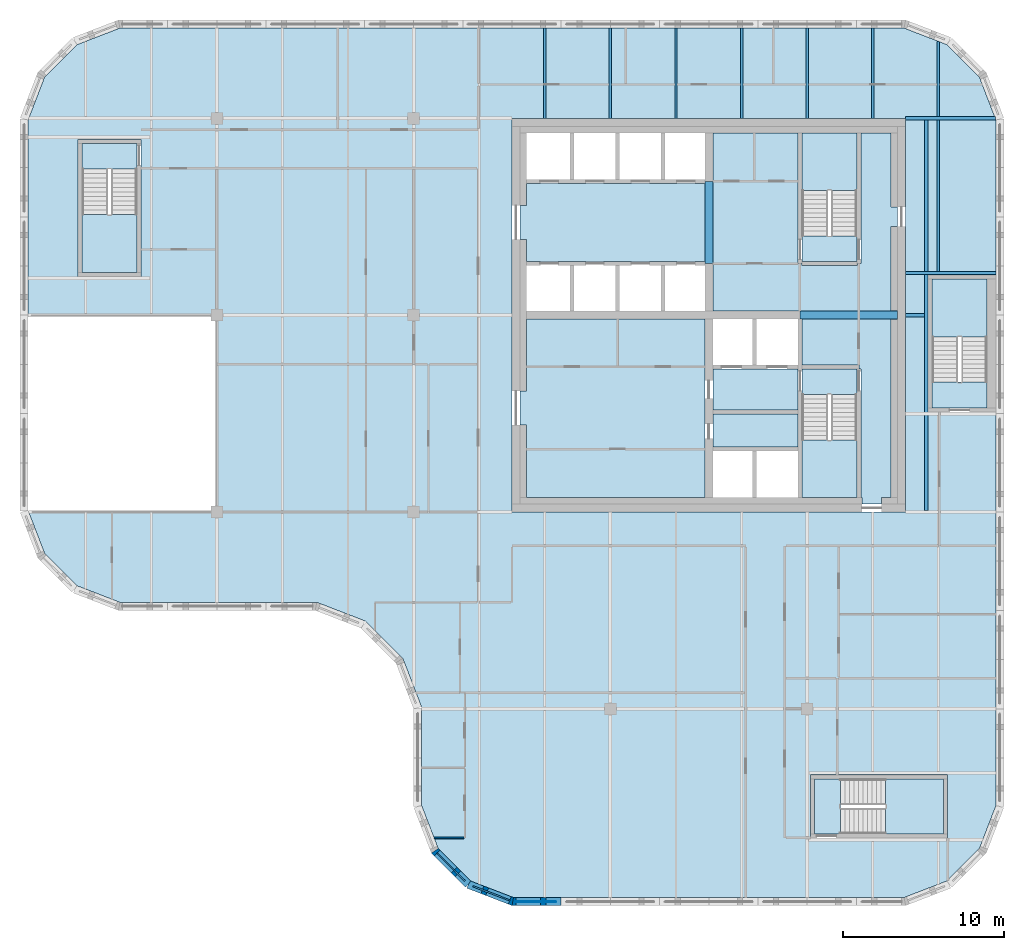
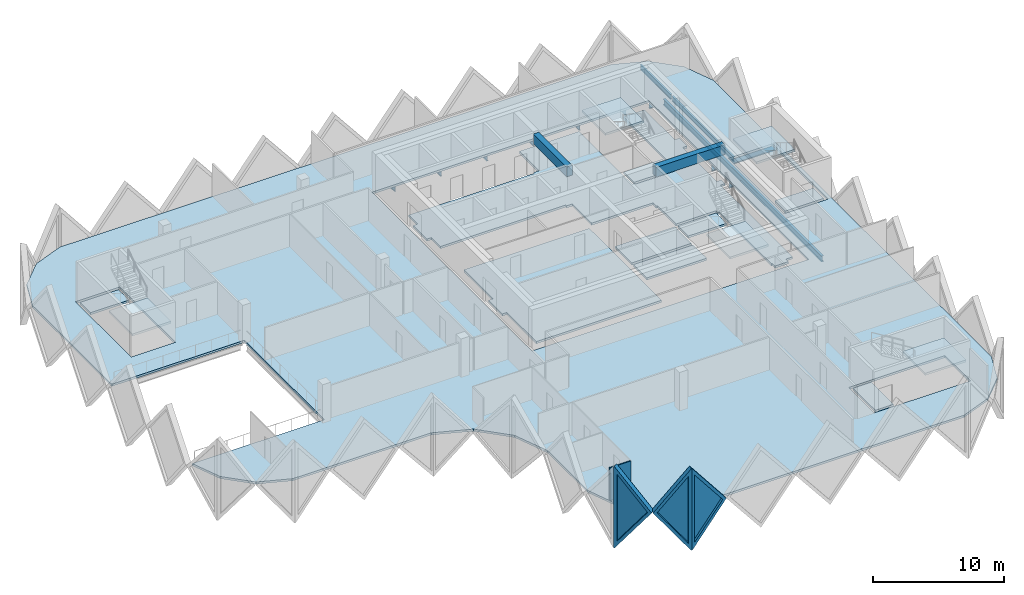
# One storey, part 2 of 11: 15 slabs, 14 beams, 4 walls, 3 plates, 3 openings, 5 elements without a shape of their own.
"""IFC4 building model written with IfcOpenShell, lengths in metres."""

from ifc_helpers import new_model, si_unit, direction, frame, frame_2d, origin, origin_2d, place, context, subcontext, project, spatial, polyline, rectangle, i_section, outline, extrude, faceted_brep, source, transform, mapped, material, layer, layer_set, material_profile, profile_set, type_object, element, fill, aggregate, save


model = new_model("IFC4")

# Units and contexts
model_context = context("Model", 3, precision=1e-05, world=origin(), true_north=direction((0.0, 1.0)))
body_context = subcontext(model_context, "Body", "Model", "MODEL_VIEW")
ifc_project = project(units=[si_unit("LENGTHUNIT", "METRE"), si_unit("AREAUNIT", "SQUARE_METRE"), si_unit("VOLUMEUNIT", "CUBIC_METRE"), si_unit("PLANEANGLEUNIT", "RADIAN"), si_unit("MASSUNIT", "GRAM", prefix="KILO")], contexts=[model_context])

# Site, building, storey
site_placement = place(None, origin())
site = spatial("IfcSite", under=ifc_project, at=site_placement, CompositionType="ELEMENT")
building_placement = place(site_placement, origin())
building = spatial("IfcBuilding", under=site, at=building_placement, Name="Tessera Gate Towers", CompositionType="ELEMENT")
storey_placement = place(building_placement, frame((0.0, 0.0, 205.5)))
storey = spatial("IfcBuildingStorey", under=building, at=storey_placement, Name="L51", CompositionType="ELEMENT", Elevation=205.5)

# Beams
ifc_material_1 = material(Name="Concrete C50/60", Category="concrete")
ifc_material_profile_1 = material_profile(ifc_material_1, rectangle(XDim=0.5, YDim=0.89990234375, at=origin_2d()), Name="RC 500x900")
ifc_profile_set_1 = profile_set([ifc_material_profile_1], Name="Concrete C50/60")
beam_type_1 = type_object("IfcBeamType", Name="COUPLING BEAM 500x900 C50/60", PredefinedType="BEAM", material=ifc_profile_set_1)
beam_1_placement = place(storey_placement, frame((48.35009765625, 36.60009765625, 3.14990234375), z_axis=(1.0, 0.0, 0.0), x_axis=(0.0, 1.0, 0.0)))
element("IfcBeam", 1, at=beam_1_placement, inside=storey, type_object=beam_type_1, Name="L51 coupling beam 1", PredefinedType="BEAM", context=body_context, shape_type="SweptSolid", body=[
    extrude(rectangle(XDim=0.5, YDim=0.89990234375, at=origin_2d()), origin(), (0.0, 0.0, 1.0), 6.0498046875),
])
beam_2_placement = place(storey_placement, frame((42.699951171875, 39.800048828125, 3.14990234375), z_axis=(0.0, 1.0, 0.0), x_axis=(-1.0, 0.0, 0.0)))
element("IfcBeam", 2, at=beam_2_placement, inside=storey, type_object=beam_type_1, Name="L51 coupling beam 2", PredefinedType="BEAM", context=body_context, shape_type="SweptSolid", body=[
    extrude(rectangle(XDim=0.5, YDim=0.89990234375, at=origin_2d()), origin(), (0.0, 0.0, 1.0), 5.099853515625),
])
ifc_material_2 = material(Name="Steel 350W", Category="steel")
ifc_material_profile_2 = material_profile(ifc_material_2, i_section(OverallWidth=0.208984375, OverallDepth=0.532958984375, WebThickness=0.01025390625, FlangeThickness=0.015625, at=origin_2d()), Name="W530x92")
ifc_profile_set_2 = profile_set([ifc_material_profile_2], Name="Steel 350W")
beam_type_2 = type_object("IfcBeamType", Name="FLOOR GIRDER W530x92", PredefinedType="BEAM", material=ifc_profile_set_2)
beam_3_placement = place(storey_placement, frame((54.89892578125, 36.60009765625, -0.466552734375), z_axis=(1.0, 0.0, 0.0), x_axis=(0.0, 1.0, 0.0)))
element("IfcBeam", 3, at=beam_3_placement, inside=storey, type_object=beam_type_2, Name="T1-GD-L51-5340", PredefinedType="BEAM", context=body_context, shape_type="SweptSolid", body=[
    extrude(i_section(OverallWidth=0.208984375, OverallDepth=0.532958984375, WebThickness=0.01025390625, FlangeThickness=0.015625, at=origin_2d()), origin(), (0.0, 0.0, 1.0), 1.176513671875),
])
beam_4_placement = place(storey_placement, frame((54.90087890625, 48.800048828125, -0.466552734375), z_axis=(1.0, 0.0, 0.0), x_axis=(0.0, 1.0, 0.0)))
element("IfcBeam", 4, at=beam_4_placement, inside=storey, type_object=beam_type_2, Name="T1-GD-L51-5344", PredefinedType="BEAM", context=body_context, shape_type="SweptSolid", body=[
    extrude(i_section(OverallWidth=0.208984375, OverallDepth=0.532958984375, WebThickness=0.01025390625, FlangeThickness=0.015625, at=origin_2d()), origin(), (0.0, 0.0, 1.0), 5.564208984375),
])
beam_5_placement = place(storey_placement, frame((54.89892578125, 39.219970703125, -0.466552734375), z_axis=(1.0, 0.0, 0.0), x_axis=(0.0, 1.0, 0.0)))
element("IfcBeam", 5, at=beam_5_placement, inside=storey, type_object=beam_type_2, Name="T1-GD-L51-5362", PredefinedType="BEAM", context=body_context, shape_type="SweptSolid", body=[
    extrude(i_section(OverallWidth=0.208984375, OverallDepth=0.532958984375, WebThickness=0.01025390625, FlangeThickness=0.015625, at=origin_2d()), origin(), (0.0, 0.0, 1.0), 5.60205078125),
])
beam_6_placement = place(storey_placement, frame((56.179931640625, 24.50439453125, -0.466552734375), z_axis=(0.0, 1.0, 0.0), x_axis=(-1.0, 0.0, 0.0)))
element("IfcBeam", 6, at=beam_6_placement, inside=storey, type_object=beam_type_2, Name="T1-GD-L51-5363", PredefinedType="BEAM", context=body_context, shape_type="SweptSolid", body=[
    extrude(i_section(OverallWidth=0.208984375, OverallDepth=0.532958984375, WebThickness=0.01025390625, FlangeThickness=0.015625, at=origin_2d()), origin(), (0.0, 0.0, 1.0), 24.191162109375),
])
ifc_material_3 = material(Name="Steel 350W", Category="steel")
ifc_material_profile_3 = material_profile(ifc_material_3, i_section(OverallWidth=0.153076171875, OverallDepth=0.455078125, WebThickness=0.008056640625, FlangeThickness=0.01318359375, at=origin_2d()), Name="W460x60")
ifc_profile_set_3 = profile_set([ifc_material_profile_3], Name="Steel 350W")
beam_type_3 = type_object("IfcBeamType", Name="FLOOR SECONDARY W460x60", PredefinedType="BEAM", material=ifc_profile_set_3)
for number, where, z_axis, x_axis, name in (
    (7, (32.533203125, 48.800048828125, -0.427490234375), (0.0, 1.0, 0.0), (-1.0, 0.0, 0.0), "T1-BM-L51-5385"),
    (8, (36.60009765625, 48.800048828125, -0.427490234375), (0.0, 1.0, 0.0), (-1.0, 0.0, 0.0), "T1-BM-L51-5386"),
    (9, (40.666748046875, 48.800048828125, -0.427490234375), (0.0, 1.0, 0.0), (-1.0, 0.0, 0.0), "T1-BM-L51-5389"),
    (10, (44.7333984375, 48.800048828125, -0.427490234375), (0.0, 1.0, 0.0), (-1.0, 0.0, 0.0), "T1-BM-L51-5392"),
    (11, (48.800048828125, 48.800048828125, -0.427490234375), (0.0, 1.0, 0.0), (-1.0, 0.0, 0.0), "T1-BM-L51-5393"),
    (12, (52.86669921875, 48.800048828125, -0.427490234375), (0.0, 1.0, 0.0), (-1.0, 0.0, 0.0), "T1-BM-L51-5397"),
):
    element("IfcBeam", number, at=place(storey_placement, frame(where, z_axis=z_axis, x_axis=x_axis)), inside=storey, type_object=beam_type_3, Name=name, PredefinedType="BEAM", context=body_context, shape_type="SweptSolid", body=[
        extrude(i_section(OverallWidth=0.153076171875, OverallDepth=0.455078125, WebThickness=0.008056640625, FlangeThickness=0.01318359375, at=origin_2d()), origin(), (0.0, 0.0, 1.0), 5.599853515625),
    ])
beam_7_placement = place(storey_placement, frame((56.933349609375, 39.324462890625, -0.427490234375), z_axis=(0.0, 1.0, 0.0), x_axis=(-1.0, 0.0, 0.0)))
element("IfcBeam", 13, at=beam_7_placement, inside=storey, type_object=beam_type_3, Name="T1-BM-L51-5402", PredefinedType="BEAM", context=body_context, shape_type="SweptSolid", body=[
    extrude(i_section(OverallWidth=0.153076171875, OverallDepth=0.455078125, WebThickness=0.008056640625, FlangeThickness=0.01318359375, at=origin_2d()), origin(), (0.0, 0.0, 1.0), 9.37109375),
])
beam_8_placement = place(storey_placement, frame((56.933349609375, 48.904541015625, -0.427490234375), z_axis=(0.0, 1.0, 0.0), x_axis=(-1.0, 0.0, 0.0)))
element("IfcBeam", 14, at=beam_8_placement, inside=storey, type_object=beam_type_3, Name="T1-BM-L51-5403", PredefinedType="BEAM", context=body_context, shape_type="SweptSolid", body=[
    extrude(i_section(OverallWidth=0.153076171875, OverallDepth=0.455078125, WebThickness=0.008056640625, FlangeThickness=0.01318359375, at=origin_2d()), origin(), (0.0, 0.0, 1.0), 4.675048828125),
])

# Slabs
ifc_material_4 = material(Name="Concrete C35/45", Category="concrete")
ifc_layer_1 = layer(ifc_material_4, 0.199951171875)
ifc_layer_set_1 = layer_set([ifc_layer_1], Name="COMPOSITE FLOOR 200")
slab_type_1 = type_object("IfcSlabType", Name="COMPOSITE FLOOR 200", PredefinedType="FLOOR", material=ifc_layer_set_1)
slab_1_placement = place(storey_placement, frame((0.0, 0.0, -0.199951171875)))
element("IfcSlab", 15, at=slab_1_placement, inside=storey, type_object=slab_type_1, Name="T1-L51", PredefinedType="FLOOR", context=body_context, shape_type="SweptSolid", body=[
    extrude(outline(polyline([(0.5, 36.60009765625), (12.199951171875, 36.60009765625), (12.199951171875, 24.39990234375), (0.535888671875, 24.39990234375), (1.526123046875, 21.8330078125), (3.533203125, 19.826171875), (6.193115234375, 18.800048828125), (18.39306640625, 18.800048828125), (21.42431640625, 17.630615234375), (23.730712890625, 15.32421875), (24.89990234375, 12.293212890625), (24.89990234375, 6.193115234375), (25.926025390625, 3.533203125), (27.93310546875, 1.526123046875), (30.593017578125, 0.5), (54.806884765625, 0.5), (57.466796875, 1.526123046875), (59.473876953125, 3.533203125), (60.5, 6.193115234375), (60.5, 48.706787109375), (59.473876953125, 51.366943359375), (57.466796875, 53.373779296875), (54.806884765625, 54.39990234375), (6.193115234375, 54.39990234375), (3.533203125, 53.373779296875), (1.526123046875, 51.366943359375), (0.5, 48.706787109375), (0.5, 36.60009765625)]), holes=[polyline([(3.60009765625, 39.0), (3.60009765625, 47.5), (7.5, 47.5), (7.5, 39.0), (3.60009765625, 39.0)]), polyline([(30.5, 24.39990234375), (30.5, 48.800048828125), (54.89990234375, 48.800048828125), (54.89990234375, 24.39990234375), (30.5, 24.39990234375)]), polyline([(49.0, 4.199951171875), (49.0, 8.10009765625), (57.5, 8.10009765625), (57.5, 4.199951171875), (49.0, 4.199951171875)]), polyline([(56.300048828125, 30.60009765625), (56.300048828125, 39.10009765625), (60.199951171875, 39.10009765625), (60.199951171875, 30.60009765625), (56.300048828125, 30.60009765625)])]), origin(), (0.0, 0.0, 1.0), 0.199951171875),
])
ifc_material_5 = material(Name="Concrete C35/45", Category="concrete")
ifc_layer_2 = layer(ifc_material_5, 0.199951171875)
ifc_layer_set_2 = layer_set([ifc_layer_2], Name="CORE FLOOR SLAB 200")
slab_type_2 = type_object("IfcSlabType", Name="CORE FLOOR SLAB 200", PredefinedType="FLOOR", material=ifc_layer_set_2)
slab_2_placement = place(storey_placement, frame((0.0, 0.0, -0.199951171875)))
element("IfcSlab", 16, at=slab_2_placement, inside=storey, type_object=slab_type_2, Name="L51 core floor slab", PredefinedType="FLOOR", context=body_context, shape_type="SweptSolid", body=[
    extrude(outline(polyline([(42.449951171875, 44.89990234375), (42.449951171875, 44.77490234375), (31.39990234375, 44.77490234375), (31.39990234375, 43.39990234375), (31.0, 43.39990234375), (31.0, 41.300048828125), (31.39990234375, 41.300048828125), (31.39990234375, 39.925048828125), (42.449951171875, 39.925048828125), (42.449951171875, 39.800048828125), (42.949951171875, 39.800048828125), (42.949951171875, 36.85009765625), (48.35009765625, 36.85009765625), (48.35009765625, 36.35009765625), (48.47509765625, 36.35009765625), (48.47509765625, 33.52490234375), (52.0, 33.52490234375), (52.0, 33.27490234375), (52.125, 33.27490234375), (52.125, 25.300048828125), (52.199951171875, 25.300048828125), (52.199951171875, 24.89990234375), (53.39990234375, 24.89990234375), (53.39990234375, 25.300048828125), (54.0, 25.300048828125), (54.0, 36.320068359375), (54.39990234375, 36.320068359375), (54.39990234375, 36.8798828125), (54.0, 36.8798828125), (54.0, 42.10009765625), (54.39990234375, 42.10009765625), (54.39990234375, 43.300048828125), (54.0, 43.300048828125), (54.0, 47.89990234375), (52.125, 47.89990234375), (52.125, 39.800048828125), (51.875, 39.800048828125), (51.875, 39.675048828125), (48.47509765625, 39.675048828125), (48.47509765625, 39.800048828125), (48.22509765625, 39.800048828125), (48.22509765625, 47.89990234375), (42.949951171875, 47.89990234375), (42.949951171875, 44.89990234375), (42.449951171875, 44.89990234375)])), origin(), (0.0, 0.0, 1.0), 0.199951171875),
])
slab_3_placement = place(storey_placement, frame((0.0, 0.0, -0.199951171875)))
element("IfcSlab", 17, at=slab_3_placement, inside=storey, type_object=slab_type_2, Name="L51 core floor slab", PredefinedType="FLOOR", context=body_context, shape_type="SweptSolid", body=[
    extrude(outline(polyline([(31.39990234375, 36.35009765625), (31.39990234375, 31.89990234375), (31.0, 31.89990234375), (31.0, 29.800048828125), (31.39990234375, 29.800048828125), (31.39990234375, 25.300048828125), (42.449951171875, 25.300048828125), (42.449951171875, 36.35009765625), (31.39990234375, 36.35009765625)])), origin(), (0.0, 0.0, 1.0), 0.199951171875),
])
slab_4_placement = place(storey_placement, frame((0.0, 0.0, -0.199951171875)))
element("IfcSlab", 18, at=slab_4_placement, inside=storey, type_object=slab_type_2, Name="L51 core floor slab", PredefinedType="FLOOR", context=body_context, shape_type="SweptSolid", body=[
    extrude(outline(polyline([(42.949951171875, 33.27490234375), (42.949951171875, 30.72509765625), (48.22509765625, 30.72509765625), (48.22509765625, 33.27490234375), (42.949951171875, 33.27490234375)])), origin(), (0.0, 0.0, 1.0), 0.199951171875),
])
slab_5_placement = place(storey_placement, frame((0.0, 0.0, -0.199951171875)))
element("IfcSlab", 19, at=slab_5_placement, inside=storey, type_object=slab_type_2, Name="L51 core floor slab", PredefinedType="FLOOR", context=body_context, shape_type="SweptSolid", body=[
    extrude(outline(polyline([(48.22509765625, 30.47509765625), (42.949951171875, 30.47509765625), (42.949951171875, 28.425048828125), (48.22509765625, 28.425048828125), (48.22509765625, 30.47509765625)])), origin(), (0.0, 0.0, 1.0), 0.199951171875),
])
slab_6_placement = place(storey_placement, frame((0.0, 0.0, -0.199951171875)))
element("IfcSlab", 20, at=slab_6_placement, inside=storey, type_object=slab_type_2, Name="L51 core floor slab", PredefinedType="FLOOR", context=body_context, shape_type="SweptSolid", body=[
    extrude(outline(polyline([(51.875, 31.675048828125), (51.875, 33.27490234375), (48.47509765625, 33.27490234375), (48.47509765625, 31.675048828125), (51.875, 31.675048828125)])), origin(), (0.0, 0.0, 1.0), 0.199951171875),
])
slab_7_placement = place(storey_placement, frame((0.0, 0.0, -0.199951171875)))
element("IfcSlab", 21, at=slab_7_placement, inside=storey, type_object=slab_type_2, Name="L51 core floor slab", PredefinedType="FLOOR", context=body_context, shape_type="SweptSolid", body=[
    extrude(outline(polyline([(48.47509765625, 41.52490234375), (48.47509765625, 39.925048828125), (51.875, 39.925048828125), (51.875, 41.52490234375), (48.47509765625, 41.52490234375)])), origin(), (0.0, 0.0, 1.0), 0.199951171875),
])
slab_8_placement = place(storey_placement, frame((0.0, 0.0, -0.199951171875)))
element("IfcSlab", 22, at=slab_8_placement, inside=storey, type_object=slab_type_2, Name="L51 ST3 floor landing", PredefinedType="FLOOR", context=body_context, shape_type="SweptSolid", body=[
    extrude(outline(polyline([(3.85009765625, 47.25), (3.85009765625, 45.64990234375), (7.25, 45.64990234375), (7.25, 47.25), (3.85009765625, 47.25)])), origin(), (0.0, 0.0, 1.0), 0.199951171875),
])
slab_9_placement = place(storey_placement, frame((0.0, 0.0, -0.199951171875)))
element("IfcSlab", 23, at=slab_9_placement, inside=storey, type_object=slab_type_2, Name="L51 ST4 floor landing", PredefinedType="FLOOR", context=body_context, shape_type="SweptSolid", body=[
    extrude(outline(polyline([(49.25, 4.449951171875), (50.85009765625, 4.449951171875), (50.85009765625, 7.85009765625), (49.25, 7.85009765625), (49.25, 4.449951171875)])), origin(), (0.0, 0.0, 1.0), 0.199951171875),
])
slab_10_placement = place(storey_placement, frame((0.0, 0.0, -0.199951171875)))
element("IfcSlab", 24, at=slab_10_placement, inside=storey, type_object=slab_type_2, Name="L51 ST5 floor landing", PredefinedType="FLOOR", context=body_context, shape_type="SweptSolid", body=[
    extrude(outline(polyline([(59.949951171875, 30.85009765625), (59.949951171875, 32.449951171875), (56.550048828125, 32.449951171875), (56.550048828125, 30.85009765625), (59.949951171875, 30.85009765625)])), origin(), (0.0, 0.0, 1.0), 0.199951171875),
])

# Stair, slab
ifc_material_6 = material(Name="Concrete C40/50", Category="concrete")
stair_type_1 = type_object("IfcStairType", Name="EXIT STAIR ST1 1600", PredefinedType="HALF_TURN_STAIR", material=ifc_material_6)
stair_1_placement = place(storey_placement, origin())
stair_1 = element("IfcStair", 25, at=stair_1_placement, inside=storey, type_object=stair_type_1, Name="L51 Protected Exit Stair ST1", PredefinedType="HALF_TURN_STAIR")
ifc_material_7 = material(Name="Concrete C40/50", Category="concrete")
ifc_layer_3 = layer(ifc_material_7, 0.199951171875)
ifc_layer_set_3 = layer_set([ifc_layer_3], Name="EXIT STAIR LANDING 200")
slab_type_3 = type_object("IfcSlabType", Name="EXIT STAIR LANDING 200", PredefinedType="LANDING", material=ifc_layer_set_3)
slab_11_placement = place(storey_placement, frame((0.0, 0.0, 1.699951171875)))
slab_11 = element("IfcSlab", 26, at=slab_11_placement, type_object=slab_type_3, Name="ST1 landing 1", PredefinedType="LANDING", context=body_context, shape_type="SweptSolid", body=[
    extrude(outline(polyline([(48.47509765625, 28.875), (48.47509765625, 25.300048828125), (51.875, 25.300048828125), (51.875, 28.875), (48.47509765625, 28.875)])), origin(), (0.0, 0.0, 1.0), 0.199951171875),
])
aggregate(stair_1, [slab_11])

ifc_material_8 = material(Name="Concrete C40/50", Category="concrete")
stair_type_2 = type_object("IfcStairType", Name="EXIT STAIR ST2 1600", PredefinedType="HALF_TURN_STAIR", material=ifc_material_8)
stair_2_placement = place(storey_placement, origin())
stair_2 = element("IfcStair", 27, at=stair_2_placement, inside=storey, type_object=stair_type_2, Name="L51 Protected Exit Stair ST2", PredefinedType="HALF_TURN_STAIR")
slab_12_placement = place(storey_placement, frame((0.0, 0.0, 1.699951171875)))
slab_12 = element("IfcSlab", 28, at=slab_12_placement, type_object=slab_type_3, Name="ST2 landing 1", PredefinedType="LANDING", context=body_context, shape_type="SweptSolid", body=[
    extrude(outline(polyline([(51.875, 44.324951171875), (51.875, 47.89990234375), (48.47509765625, 47.89990234375), (48.47509765625, 44.324951171875), (51.875, 44.324951171875)])), origin(), (0.0, 0.0, 1.0), 0.199951171875),
])
aggregate(stair_2, [slab_12])

ifc_material_9 = material(Name="Concrete C40/50", Category="concrete")
stair_type_3 = type_object("IfcStairType", Name="EXIT STAIR ST3 1600", PredefinedType="HALF_TURN_STAIR", material=ifc_material_9)
stair_3_placement = place(storey_placement, origin())
stair_3 = element("IfcStair", 29, at=stair_3_placement, inside=storey, type_object=stair_type_3, Name="L51 West Exit Stair ST3", PredefinedType="HALF_TURN_STAIR")
slab_13_placement = place(storey_placement, frame((0.0, 0.0, 1.699951171875)))
slab_13 = element("IfcSlab", 30, at=slab_13_placement, type_object=slab_type_3, Name="ST3 landing 1", PredefinedType="LANDING", context=body_context, shape_type="SweptSolid", body=[
    extrude(outline(polyline([(3.85009765625, 42.85009765625), (3.85009765625, 39.25), (7.25, 39.25), (7.25, 42.85009765625), (3.85009765625, 42.85009765625)])), origin(), (0.0, 0.0, 1.0), 0.199951171875),
])
aggregate(stair_3, [slab_13])

ifc_material_10 = material(Name="Concrete C40/50", Category="concrete")
stair_type_4 = type_object("IfcStairType", Name="EXIT STAIR ST4 1600", PredefinedType="HALF_TURN_STAIR", material=ifc_material_10)
stair_4_placement = place(storey_placement, origin())
stair_4 = element("IfcStair", 31, at=stair_4_placement, inside=storey, type_object=stair_type_4, Name="L51 South Exit Stair ST4", PredefinedType="HALF_TURN_STAIR")
slab_14_placement = place(storey_placement, frame((0.0, 0.0, 1.699951171875)))
slab_14 = element("IfcSlab", 32, at=slab_14_placement, type_object=slab_type_3, Name="ST4 landing 1", PredefinedType="LANDING", context=body_context, shape_type="SweptSolid", body=[
    extrude(outline(polyline([(53.64990234375, 4.449951171875), (57.25, 4.449951171875), (57.25, 7.85009765625), (53.64990234375, 7.85009765625), (53.64990234375, 4.449951171875)])), origin(), (0.0, 0.0, 1.0), 0.199951171875),
])
aggregate(stair_4, [slab_14])

ifc_material_11 = material(Name="Concrete C40/50", Category="concrete")
stair_type_5 = type_object("IfcStairType", Name="EXIT STAIR ST5 1600", PredefinedType="HALF_TURN_STAIR", material=ifc_material_11)
stair_5_placement = place(storey_placement, origin())
stair_5 = element("IfcStair", 33, at=stair_5_placement, inside=storey, type_object=stair_type_5, Name="L51 East Exit Stair ST5", PredefinedType="HALF_TURN_STAIR")
slab_15_placement = place(storey_placement, frame((0.0, 0.0, 1.699951171875)))
slab_15 = element("IfcSlab", 34, at=slab_15_placement, type_object=slab_type_3, Name="ST5 landing 1", PredefinedType="LANDING", context=body_context, shape_type="SweptSolid", body=[
    extrude(outline(polyline([(59.949951171875, 35.25), (59.949951171875, 38.85009765625), (56.550048828125, 38.85009765625), (56.550048828125, 35.25), (59.949951171875, 35.25)])), origin(), (0.0, 0.0, 1.0), 0.199951171875),
])
aggregate(stair_5, [slab_15])

# Wall
ifc_material_12 = material(Name="Glass", Category="glass")
ifc_layer_4 = layer(ifc_material_12, 0.10009765625)
ifc_layer_set_4 = layer_set([ifc_layer_4], Name="GLAZED PARTITION 100")
wall_type_1 = type_object("IfcWallType", Name="GLAZED PARTITION 100", PredefinedType="PARTITIONING", material=ifc_layer_set_4)
wall_1_placement = place(storey_placement, frame((25.668701171875, 4.199951171875, 0.0), z_axis=(0.0, 0.0, 1.0), x_axis=(1.0, 0.0, 0.0)))
element("IfcWall", 35, at=wall_1_placement, inside=storey, type_object=wall_type_1, Name="T1-L51-PW-003", PredefinedType="PARTITIONING", context=body_context, shape_type="SweptSolid", body=[
    extrude(rectangle(XDim=1.855224609375, YDim=0.10009765625, at=frame_2d((0.927734375, 0.0))), origin(), (0.0, 0.0, 1.0), 3.06689453125),
])

# Wall, opening, plate
ifc_material_13 = material(Name="Precast concrete C60/75 white", Category="concrete")
ifc_layer_5 = layer(ifc_material_13, 0.5)
ifc_layer_set_5 = layer_set([ifc_layer_5], Name="TS3 corner tessera")
wall_type_2 = type_object("IfcWallType", Name="TS3 corner tessera", PredefinedType="SOLIDWALL", material=ifc_layer_set_5)
shared_shape_1 = source(origin(), body_context, "Body", "Brep", [
    faceted_brep([(0.046630859375, -0.25, 0.0), (3.050048828125, -0.25, 3.800048828125), (0.046630859375, -0.25, 7.60009765625), (0.0, -0.25, 7.5400390625), (0.0, -0.25, 0.06005859375), (0.09326171875, 0.25, 7.541259765625), (3.050048828125, 0.25, 3.800048828125), (0.09326171875, 0.25, 0.058837890625), (0.046630859375, 0.0, 0.0), (0.046630859375, 0.0, 7.60009765625)], [[[0, 1, 2, 3, 4]], [[5, 6, 7]], [[7, 6, 1, 0, 8]], [[6, 5, 9, 2, 1]], [[3, 2, 9]], [[8, 0, 4]], [[7, 8, 4, 3, 9, 5]]]),
])
wall_2_placement = place(storey_placement, frame((30.5, 0.25, -3.800048828125), z_axis=(0.0, 0.0, 1.0), x_axis=(1.0, 0.0, 0.0)))
wall_2 = element("IfcWall", 36, at=wall_2_placement, inside=storey, type_object=wall_type_2, Name="Precast corner tessera T1 TS3-1177", PredefinedType="SOLIDWALL", context=body_context, shape_type="MappedRepresentation", body=[
    mapped(shared_shape_1, transform((0.0, 0.0, 0.0), scale=1.0)),
])
shared_shape_2 = source(origin(), body_context, "Body", "SweptSolid", [
    extrude(outline(polyline([(0.24658203125, 0.65625), (2.7314453125, 3.800048828125), (0.24658203125, 6.94384765625), (0.24658203125, 0.65625)])), frame((0.0, 0.260009765625, 0.0), z_axis=(0.0, -1.0, 0.0), x_axis=(1.0, 0.0, 0.0)), (0.0, 0.0, 1.0), 0.52001953125),
])
opening_1_placement = place(wall_2_placement, origin())
opening_1 = element("IfcOpeningElement", 37, at=opening_1_placement, cuts=wall_2, Name="Opening T1-PL2-1786", PredefinedType="OPENING", context=body_context, shape_type="MappedRepresentation", body=[
    mapped(shared_shape_2, transform((0.0, 0.0, 0.0), scale=1.0)),
])
ifc_material_14 = material(Name="Low-e laminated glass", Category="glass")
ifc_layer_6 = layer(ifc_material_14, 0.06005859375)
ifc_layer_set_6 = layer_set([ifc_layer_6], Name="PL2 rhombic pane")
plate_type = type_object("IfcPlateType", Name="PL2 rhombic pane", PredefinedType="SHEET", material=ifc_layer_set_6)
shared_shape_3 = source(origin(), body_context, "Body", "SweptSolid", [
    extrude(outline(polyline([(0.24658203125, 0.65625), (2.7314453125, 3.800048828125), (0.24658203125, 6.94384765625), (0.24658203125, 0.65625)])), frame((0.0, 0.030029296875, 0.0), z_axis=(0.0, -1.0, 0.0), x_axis=(1.0, 0.0, 0.0)), (0.0, 0.0, 1.0), 0.06005859375),
])
plate_1_placement = place(opening_1_placement, origin())
plate_1 = element("IfcPlate", 38, at=plate_1_placement, inside=storey, type_object=plate_type, Name="Glass pane T1 PL2-1786", PredefinedType="SHEET", context=body_context, shape_type="MappedRepresentation", body=[
    mapped(shared_shape_3, transform((0.0, 0.0, 0.0), scale=1.0)),
])
fill(opening_1, plate_1)

shared_shape_4 = source(origin(), body_context, "Body", "Brep", [
    faceted_brep([(0.052978515625, -0.25, 0.0), (2.9970703125, -0.25, 3.800048828125), (0.052978515625, -0.25, 7.60009765625), (0.0, -0.25, 7.531982421875), (0.0, -0.25, 0.068115234375), (0.10595703125, 0.25, 7.53173828125), (2.944091796875, 0.25, 3.8681640625), (2.944091796875, 0.25, 3.73193359375), (0.10595703125, 0.25, 0.068359375), (2.9970703125, 0.000244140625, 3.800048828125), (0.052978515625, 0.0, 0.0), (0.052978515625, 0.0, 7.60009765625)], [[[0, 1, 2, 3, 4]], [[5, 6, 7, 8]], [[8, 7, 9, 1, 0, 10]], [[6, 5, 11, 2, 1, 9]], [[3, 2, 11]], [[10, 0, 4]], [[8, 10, 4, 3, 11, 5]], [[9, 7, 6]]]),
])
wall_3_placement = place(storey_placement, frame((25.674560546875, 3.43115234375, -3.800048828125), z_axis=(0.0, 0.0, 1.0), x_axis=(0.707106781187, -0.707106781187, 0.0)))
wall_3 = element("IfcWall", 39, at=wall_3_placement, inside=storey, type_object=wall_type_2, Name="Precast corner tessera T1 TS3-1200", PredefinedType="SOLIDWALL", context=body_context, shape_type="MappedRepresentation", body=[
    mapped(shared_shape_4, transform((0.0, 0.0, 0.0), scale=1.0)),
])
shared_shape_5 = source(origin(), body_context, "Body", "SweptSolid", [
    extrude(outline(polyline([(0.2529296875, 0.666259765625), (2.680908203125, 3.800048828125), (0.2529296875, 6.933837890625), (0.2529296875, 0.666259765625)])), frame((0.0, 0.260009765625, 0.0), z_axis=(0.0, -1.0, 0.0), x_axis=(1.0, 0.0, 0.0)), (0.0, 0.0, 1.0), 0.52001953125),
])
opening_2_placement = place(wall_3_placement, origin())
opening_2 = element("IfcOpeningElement", 40, at=opening_2_placement, cuts=wall_3, Name="Opening T1-PL2-1832", PredefinedType="OPENING", context=body_context, shape_type="MappedRepresentation", body=[
    mapped(shared_shape_5, transform((0.0, 0.0, 0.0), scale=1.0)),
])
shared_shape_6 = source(origin(), body_context, "Body", "SweptSolid", [
    extrude(outline(polyline([(0.2529296875, 0.666259765625), (2.680908203125, 3.800048828125), (0.2529296875, 6.933837890625), (0.2529296875, 0.666259765625)])), frame((0.0, 0.030029296875, 0.0), z_axis=(0.0, -1.0, 0.0), x_axis=(1.0, 0.0, 0.0)), (0.0, 0.0, 1.0), 0.06005859375),
])
plate_2_placement = place(opening_2_placement, origin())
plate_2 = element("IfcPlate", 41, at=plate_2_placement, inside=storey, type_object=plate_type, Name="Glass pane T1 PL2-1832", PredefinedType="SHEET", context=body_context, shape_type="MappedRepresentation", body=[
    mapped(shared_shape_6, transform((0.0, 0.0, 0.0), scale=1.0)),
])
fill(opening_2, plate_2)

shared_shape_7 = source(origin(), body_context, "Body", "Brep", [
    faceted_brep([(2.950439453125, -0.25, 0.0), (2.9970703125, -0.25, 0.05908203125), (2.9970703125, -0.25, 7.541015625), (2.950439453125, -0.25, 7.60009765625), (0.0, -0.25, 3.800048828125), (0.052978515625, 0.25, 3.8681640625), (2.904052734375, 0.25, 7.540283203125), (2.904052734375, 0.25, 0.059814453125), (0.052978515625, 0.25, 3.73193359375), (2.950439453125, 0.00048828125, 0.0), (2.950439453125, 0.00048828125, 7.60009765625), (0.0, 0.0, 3.800048828125)], [[[0, 1, 2, 3, 4]], [[5, 6, 7, 8]], [[1, 0, 9]], [[10, 3, 2]], [[6, 5, 11, 4, 3, 10]], [[8, 7, 9, 0, 4, 11]], [[8, 11, 5]], [[1, 9, 7, 6, 10, 2]]]),
])
wall_4_placement = place(storey_placement, frame((27.793701171875, 1.31201171875, -3.800048828125), z_axis=(0.0, 0.0, 1.0), x_axis=(0.932973525033, -0.359944998003, 0.0)))
wall_4 = element("IfcWall", 42, at=wall_4_placement, inside=storey, type_object=wall_type_2, Name="Precast corner tessera T1 TS3-1178", PredefinedType="SOLIDWALL", context=body_context, shape_type="MappedRepresentation", body=[
    mapped(shared_shape_7, transform((0.0, 0.0, 0.0), scale=1.0)),
])
shared_shape_8 = source(origin(), body_context, "Body", "SweptSolid", [
    extrude(outline(polyline([(2.75048828125, 6.934814453125), (0.31640625, 3.800048828125), (2.75048828125, 0.665283203125), (2.75048828125, 6.934814453125)])), frame((0.0, 0.260009765625, 0.0), z_axis=(0.0, -1.0, 0.0), x_axis=(1.0, 0.0, 0.0)), (0.0, 0.0, 1.0), 0.52001953125),
])
opening_3_placement = place(wall_4_placement, origin())
opening_3 = element("IfcOpeningElement", 43, at=opening_3_placement, cuts=wall_4, Name="Opening T1-PL2-1787", PredefinedType="OPENING", context=body_context, shape_type="MappedRepresentation", body=[
    mapped(shared_shape_8, transform((0.0, 0.0, 0.0), scale=1.0)),
])
shared_shape_9 = source(origin(), body_context, "Body", "SweptSolid", [
    extrude(outline(polyline([(2.75048828125, 6.934814453125), (0.31640625, 3.800048828125), (2.75048828125, 0.665283203125), (2.75048828125, 6.934814453125)])), frame((0.0, 0.030029296875, 0.0), z_axis=(0.0, -1.0, 0.0), x_axis=(1.0, 0.0, 0.0)), (0.0, 0.0, 1.0), 0.06005859375),
])
plate_3_placement = place(opening_3_placement, origin())
plate_3 = element("IfcPlate", 44, at=plate_3_placement, inside=storey, type_object=plate_type, Name="Glass pane T1 PL2-1787", PredefinedType="SHEET", context=body_context, shape_type="MappedRepresentation", body=[
    mapped(shared_shape_9, transform((0.0, 0.0, 0.0), scale=1.0)),
])
fill(opening_3, plate_3)

save(model, "model.ifc")
